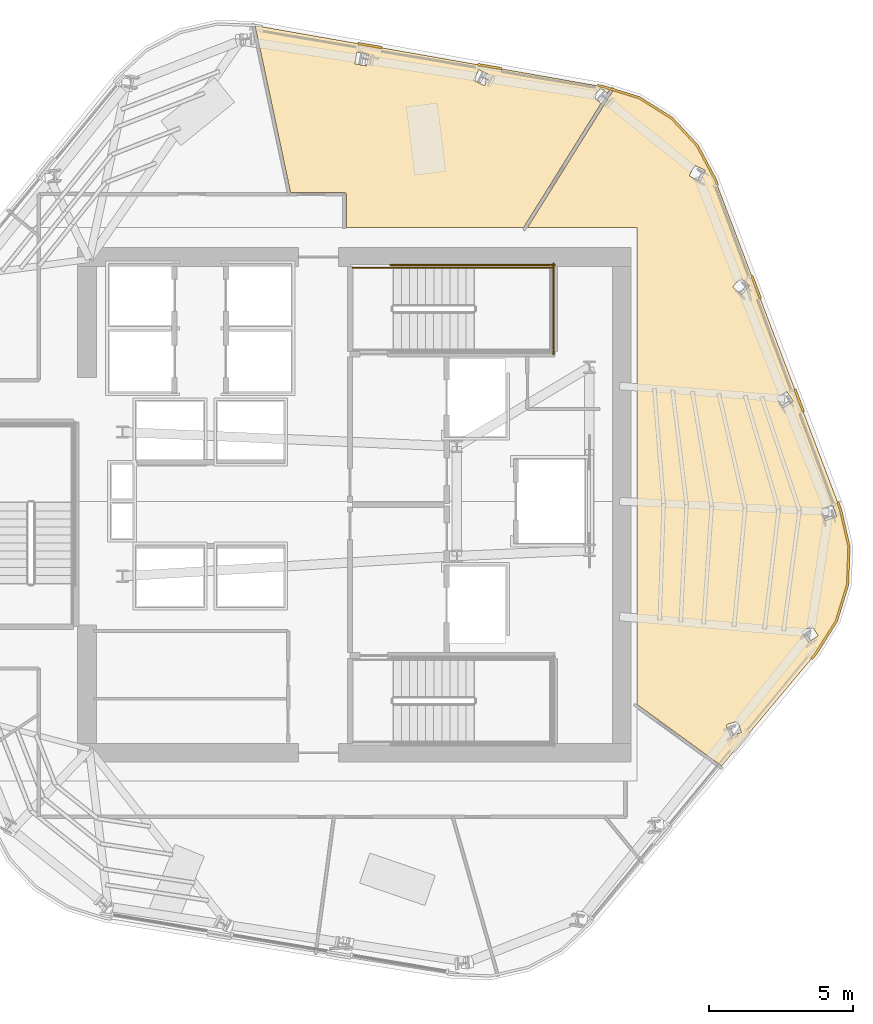
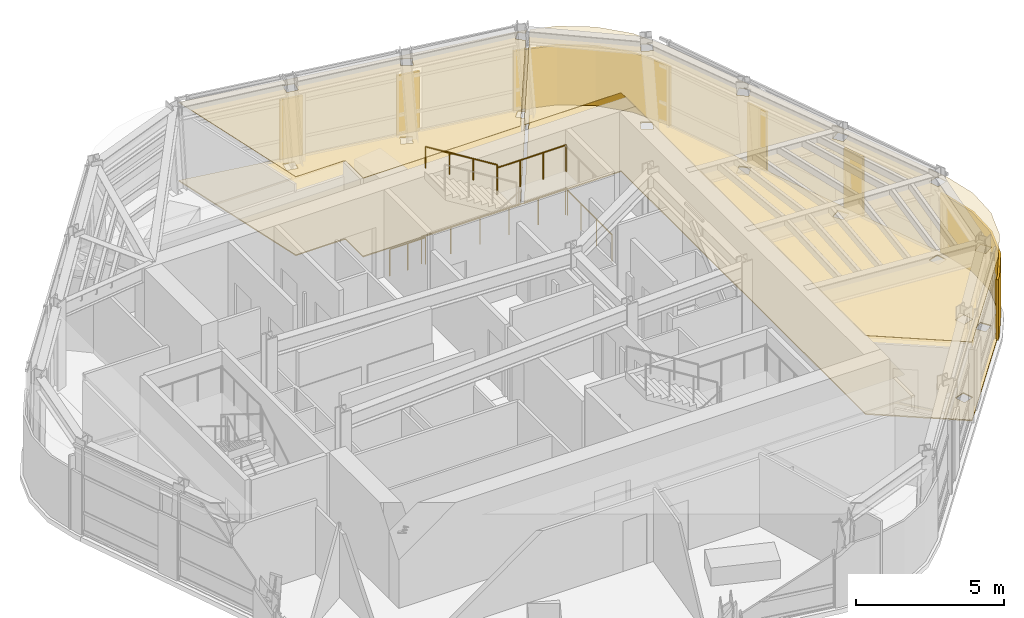
# One storey, part 11 of 12: 10 coverings, 5 railings.
"""IFC4 building model written with IfcOpenShell, lengths in metres."""

from ifc_helpers import new_model, si_unit, direction, frame, origin, origin_2d, place, context, subcontext, project, spatial, polyline, circle, outline, extrude, material, layer, layer_set, type_object, element, save


model = new_model("IFC4")

# Units and contexts
model_context = context("Model", 3, precision=1e-05, world=origin(), true_north=direction((0.0, 1.0)))
body_context = subcontext(model_context, "Body", "Model", "MODEL_VIEW")
ifc_project = project(units=[si_unit("LENGTHUNIT", "METRE"), si_unit("AREAUNIT", "SQUARE_METRE"), si_unit("VOLUMEUNIT", "CUBIC_METRE"), si_unit("PLANEANGLEUNIT", "RADIAN"), si_unit("MASSUNIT", "GRAM", prefix="KILO")], contexts=[model_context])

# Site, building, storey
site_placement = place(None, origin())
site = spatial("IfcSite", under=ifc_project, at=site_placement, CompositionType="ELEMENT")
building_placement = place(site_placement, origin())
building = spatial("IfcBuilding", under=site, at=building_placement, Name="Valkerne Bourse Tower", CompositionType="ELEMENT")
storey_placement = place(building_placement, frame((0.0, 0.0, 239.800048828125)))
storey = spatial("IfcBuildingStorey", under=building, at=storey_placement, Name="L61", CompositionType="ELEMENT", Elevation=239.800048828125)

# Coverings
ifc_material_1 = material(Name="Mineral Fiber Acoustic Ceiling Tile", Category="acoustic")
ifc_layer_1 = layer(ifc_material_1, 0.02490234375)
ifc_layer_set_1 = layer_set([ifc_layer_1], Name="Mineral Fiber Acoustic Ceiling Tile")
covering_type_1 = type_object("IfcCoveringType", Name="COV-CEIL-ACT", PredefinedType="CEILING", material=ifc_layer_set_1)
covering_1_placement = place(storey_placement, frame((0.0, 0.0, 3.25)))
element("IfcCovering", 1, at=covering_1_placement, inside=storey, type_object=covering_type_1, Name="L61 Suspended Ceiling 10", PredefinedType="CEILING", context=body_context, shape_type="SweptSolid", body=[
    extrude(outline(polyline([(55.668212890625, 41.303466796875), (55.572509765625, 41.150146484375), (55.356689453125, 41.33984375), (55.354736328125, 41.341064453125), (55.0830078125, 41.03173828125), (55.35107421875, 40.7958984375), (52.666748046875, 36.5), (46.51904296875, 36.5), (46.51904296875, 37.640380859375), (46.51220703125, 37.670166015625), (46.49072265625, 37.69580078125), (46.45068359375, 37.708984375), (44.583984375, 37.708984375), (43.352783203125, 43.501708984375), (55.406982421875, 41.3837890625), (55.668212890625, 41.303466796875)]), holes=[polyline([(51.121337890625, 41.971923828125), (51.119384765625, 41.97265625), (50.934814453125, 41.6044921875), (51.304443359375, 41.4189453125), (51.306640625, 41.418212890625), (51.4912109375, 41.78662109375), (51.121337890625, 41.971923828125)]), polyline([(47.293701171875, 42.5048828125), (46.8876953125, 42.5830078125), (46.885498046875, 42.5830078125), (46.80810546875, 42.178466796875), (47.214111328125, 42.100341796875), (47.21630859375, 42.100341796875), (47.293701171875, 42.5048828125)])]), origin(), (0.0, 0.0, 1.0), 0.02490234375),
])
covering_2_placement = place(storey_placement, frame((0.0, 0.0, 3.25)))
element("IfcCovering", 2, at=covering_2_placement, inside=storey, type_object=covering_type_1, Name="L61 Suspended Ceiling 12", PredefinedType="CEILING", context=body_context, shape_type="SweptSolid", body=[
    extrude(outline(polyline([(63.5126953125, 22.846435546875), (62.806640625, 21.720947265625), (59.535888671875, 17.81982421875), (56.60009765625, 19.952880859375), (56.60009765625, 36.5), (52.805908203125, 36.5), (55.640380859375, 41.036376953125), (55.667236328125, 41.06689453125), (55.662109375, 41.071044921875), (55.784912109375, 41.267578125), (56.677978515625, 40.992919921875), (57.795654296875, 40.29150390625), (58.694091796875, 39.324951171875), (59.316162109375, 38.14990234375), (63.65234375, 26.721435546875), (63.94921875, 25.42626953125), (63.900634765625, 24.107666015625), (63.5126953125, 22.846435546875)]), holes=[polyline([(60.223876953125, 18.984619140625), (60.087890625, 19.37548828125), (59.698974609375, 19.2412109375), (59.69775390625, 19.2392578125), (59.833984375, 18.84814453125), (60.22265625, 18.982666015625), (60.223876953125, 18.984619140625)]), polyline([(62.88818359375, 22.3369140625), (62.6572265625, 22.680419921875), (62.3154296875, 22.451904296875), (62.314697265625, 22.44970703125), (62.545654296875, 22.10595703125), (62.8876953125, 22.334716796875), (62.88818359375, 22.3369140625)]), polyline([(63.5166015625, 26.46875), (63.516845703125, 26.47119140625), (63.385009765625, 26.8603515625), (62.9921875, 26.72802734375), (62.9921875, 26.7255859375), (63.1240234375, 26.33642578125), (63.5166015625, 26.46875)]), polyline([(62.01904296875, 30.46923828125), (61.792724609375, 30.8125), (61.446533203125, 30.584716796875), (61.447021484375, 30.582763671875), (61.67333984375, 30.239501953125), (62.01953125, 30.467041015625), (62.01904296875, 30.46923828125)]), polyline([(60.50244140625, 34.476806640625), (60.191162109375, 34.74560546875), (59.919921875, 34.432373046875), (59.9208984375, 34.430419921875), (60.232177734375, 34.16162109375), (60.50341796875, 34.474853515625), (60.50244140625, 34.476806640625)]), polyline([(58.965576171875, 38.477294921875), (58.596435546875, 38.658447265625), (58.41357421875, 38.28662109375), (58.4150390625, 38.284912109375), (58.7841796875, 38.10400390625), (58.96728515625, 38.4755859375), (58.965576171875, 38.477294921875)])]), origin(), (0.0, 0.0, 1.0), 0.02490234375),
])
ifc_material_2 = material(Name="Bronze Anodised Aluminium AA 6063-T6", Category="aluminium")
ifc_layer_2 = layer(ifc_material_2, 0.06005859375)
ifc_layer_set_2 = layer_set([ifc_layer_2], Name="Bronze Anodised Aluminium AA 6063-T6")
covering_type_2 = type_object("IfcCoveringType", Name="COV-CRN-ALUM", PredefinedType="CLADDING", material=ifc_layer_set_2)
covering_3_placement = place(storey_placement, origin())
element("IfcCovering", 3, at=covering_3_placement, inside=storey, type_object=covering_type_2, Name="L61 Wind-Shaped Corner Aluminium Cladding 01", PredefinedType="CLADDING", context=body_context, shape_type="SweptSolid", body=[
    extrude(outline(polyline([(63.993408203125, 25.430419921875), (63.944580078125, 24.10009765625), (63.552978515625, 22.827880859375), (62.84228515625, 21.695068359375), (62.68798828125, 21.510986328125), (62.62646484375, 21.56201171875), (62.777587890625, 21.7421875), (63.479736328125, 22.861572265625), (63.864990234375, 24.11376953125), (63.9130859375, 25.4228515625), (63.617919921875, 26.7109375), (63.534423828125, 26.930908203125), (63.609619140625, 26.958740234375), (63.694580078125, 26.734130859375), (63.993408203125, 25.430419921875)])), origin(), (0.0, 0.0, 1.0), 2.5),
])
covering_4_placement = place(storey_placement, origin())
element("IfcCovering", 4, at=covering_4_placement, inside=storey, type_object=covering_type_2, Name="L61 Wind-Shaped Corner Aluminium Cladding 14", PredefinedType="CLADDING", context=body_context, shape_type="SweptSolid", body=[
    extrude(outline(polyline([(47.758056640625, 42.774169921875), (47.74462890625, 42.6953125), (46.91748046875, 42.8408203125), (46.930908203125, 42.919677734375), (47.758056640625, 42.774169921875)])), origin(), (0.0, 0.0, 1.0), 2.5),
])
covering_5_placement = place(storey_placement, origin())
element("IfcCovering", 5, at=covering_5_placement, inside=storey, type_object=covering_type_2, Name="L61 Wind-Shaped Corner Aluminium Cladding 15", PredefinedType="CLADDING", context=body_context, shape_type="SweptSolid", body=[
    extrude(outline(polyline([(51.906494140625, 42.044189453125), (51.89306640625, 41.96533203125), (51.06591796875, 42.111083984375), (51.0791015625, 42.189697265625), (51.906494140625, 42.044189453125)])), origin(), (0.0, 0.0, 1.0), 2.5),
])
covering_6_placement = place(storey_placement, origin())
element("IfcCovering", 6, at=covering_6_placement, inside=storey, type_object=covering_type_2, Name="L61 Wind-Shaped Corner Aluminium Cladding 16", PredefinedType="CLADDING", context=body_context, shape_type="SweptSolid", body=[
    extrude(outline(polyline([(55.41748046875, 41.426513671875), (56.6962890625, 41.033203125), (57.823974609375, 40.32568359375), (58.730224609375, 39.3505859375), (59.356201171875, 38.168212890625), (59.4248046875, 37.98779296875), (59.349609375, 37.9599609375), (59.283203125, 38.135009765625), (58.664306640625, 39.303955078125), (57.772705078125, 40.263671875), (56.662841796875, 40.959716796875), (55.398681640625, 41.3486328125), (55.214111328125, 41.381103515625), (55.2275390625, 41.4599609375), (55.41748046875, 41.426513671875)])), origin(), (0.0, 0.0, 1.0), 2.5),
])
covering_7_placement = place(storey_placement, origin())
element("IfcCovering", 7, at=covering_7_placement, inside=storey, type_object=covering_type_2, Name="L61 Wind-Shaped Corner Aluminium Cladding 17", PredefinedType="CLADDING", context=body_context, shape_type="SweptSolid", body=[
    extrude(outline(polyline([(60.9189453125, 34.0498046875), (60.843994140625, 34.021728515625), (60.5458984375, 34.80712890625), (60.62109375, 34.8349609375), (60.9189453125, 34.0498046875)])), origin(), (0.0, 0.0, 1.0), 2.5),
])
covering_8_placement = place(storey_placement, origin())
element("IfcCovering", 8, at=covering_8_placement, inside=storey, type_object=covering_type_2, Name="L61 Wind-Shaped Corner Aluminium Cladding 18", PredefinedType="CLADDING", context=body_context, shape_type="SweptSolid", body=[
    extrude(outline(polyline([(62.4130859375, 30.111572265625), (62.338134765625, 30.08349609375), (62.040283203125, 30.868896484375), (62.115234375, 30.896728515625), (62.4130859375, 30.111572265625)])), origin(), (0.0, 0.0, 1.0), 2.5),
])
ifc_material_3 = material(Name="Galvanised Painted Steel", Category="steel")
ifc_layer_3 = layer(ifc_material_3, 0.044921875)
ifc_layer_set_3 = layer_set([ifc_layer_3], Name="Galvanised Painted Steel")
covering_type_3 = type_object("IfcCoveringType", Name="COV-FLR-RAF", PredefinedType="FLOORING", material=ifc_layer_set_3)
covering_9_placement = place(storey_placement, origin())
element("IfcCovering", 9, at=covering_9_placement, inside=storey, type_object=covering_type_3, Name="L61 Floor Finish 10", PredefinedType="FLOORING", context=body_context, shape_type="SweptSolid", body=[
    extrude(outline(polyline([(55.668212890625, 41.303466796875), (55.572509765625, 41.150146484375), (55.356689453125, 41.33984375), (55.354736328125, 41.341064453125), (55.0830078125, 41.03173828125), (55.35107421875, 40.7958984375), (52.666748046875, 36.5), (46.51904296875, 36.5), (46.51904296875, 37.640380859375), (46.51220703125, 37.670166015625), (46.49072265625, 37.69580078125), (46.45068359375, 37.708984375), (44.583984375, 37.708984375), (43.352783203125, 43.501708984375), (55.406982421875, 41.3837890625), (55.668212890625, 41.303466796875)]), holes=[polyline([(51.121337890625, 41.971923828125), (51.119384765625, 41.97265625), (50.934814453125, 41.6044921875), (51.304443359375, 41.4189453125), (51.306640625, 41.418212890625), (51.4912109375, 41.78662109375), (51.121337890625, 41.971923828125)]), polyline([(47.293701171875, 42.5048828125), (46.8876953125, 42.5830078125), (46.885498046875, 42.5830078125), (46.80810546875, 42.178466796875), (47.214111328125, 42.100341796875), (47.21630859375, 42.100341796875), (47.293701171875, 42.5048828125)])]), origin(), (0.0, 0.0, 1.0), 0.044921875),
])
covering_10_placement = place(storey_placement, origin())
element("IfcCovering", 10, at=covering_10_placement, inside=storey, type_object=covering_type_3, Name="L61 Floor Finish 12", PredefinedType="FLOORING", context=body_context, shape_type="SweptSolid", body=[
    extrude(outline(polyline([(63.5126953125, 22.846435546875), (62.806640625, 21.720947265625), (59.535888671875, 17.81982421875), (56.60009765625, 19.952880859375), (56.60009765625, 36.5), (52.805908203125, 36.5), (55.640380859375, 41.036376953125), (55.667236328125, 41.06689453125), (55.662109375, 41.071044921875), (55.784912109375, 41.267578125), (56.677978515625, 40.992919921875), (57.795654296875, 40.29150390625), (58.694091796875, 39.324951171875), (59.316162109375, 38.14990234375), (63.65234375, 26.721435546875), (63.94921875, 25.42626953125), (63.900634765625, 24.107666015625), (63.5126953125, 22.846435546875)]), holes=[polyline([(60.223876953125, 18.984619140625), (60.087890625, 19.37548828125), (59.698974609375, 19.2412109375), (59.69775390625, 19.2392578125), (59.833984375, 18.84814453125), (60.22265625, 18.982666015625), (60.223876953125, 18.984619140625)]), polyline([(62.88818359375, 22.3369140625), (62.6572265625, 22.680419921875), (62.3154296875, 22.451904296875), (62.314697265625, 22.44970703125), (62.545654296875, 22.10595703125), (62.8876953125, 22.334716796875), (62.88818359375, 22.3369140625)]), polyline([(63.5166015625, 26.46875), (63.516845703125, 26.47119140625), (63.385009765625, 26.8603515625), (62.9921875, 26.72802734375), (62.9921875, 26.7255859375), (63.1240234375, 26.33642578125), (63.5166015625, 26.46875)]), polyline([(62.01904296875, 30.46923828125), (61.792724609375, 30.8125), (61.446533203125, 30.584716796875), (61.447021484375, 30.582763671875), (61.67333984375, 30.239501953125), (62.01953125, 30.467041015625), (62.01904296875, 30.46923828125)]), polyline([(60.50244140625, 34.476806640625), (60.191162109375, 34.74560546875), (59.919921875, 34.432373046875), (59.9208984375, 34.430419921875), (60.232177734375, 34.16162109375), (60.50341796875, 34.474853515625), (60.50244140625, 34.476806640625)]), polyline([(58.965576171875, 38.477294921875), (58.596435546875, 38.658447265625), (58.41357421875, 38.28662109375), (58.4150390625, 38.284912109375), (58.7841796875, 38.10400390625), (58.96728515625, 38.4755859375), (58.965576171875, 38.477294921875)])]), origin(), (0.0, 0.0, 1.0), 0.044921875),
])

# Railings
railing_type_1 = type_object("IfcRailingType", Name="RLG-ST-GUARD-1120", PredefinedType="GUARDRAIL", material=ifc_material_3)
railing_1_placement = place(storey_placement, frame((50.949951171875, 35.10009765625, 1.89990234375)))
element("IfcRailing", 11, at=railing_1_placement, inside=storey, type_object=railing_type_1, Name="L61 ST-2 stair guard 4", PredefinedType="GUARDRAIL", context=body_context, shape_type="SweptSolid", body=[
    extrude(circle(Radius=0.02392578125, at=origin_2d()), frame((0.0, 0.0, 1.09619140625), z_axis=(1.0, 0.0, 0.0), x_axis=(0.0, 1.0, 0.0)), (0.0, 0.0, 1.0), 2.699951171875),
    extrude(circle(Radius=0.02099609375, at=origin_2d()), origin(), (0.0, 0.0, 1.0), 1.072021484375),
    extrude(circle(Radius=0.02099609375, at=origin_2d()), frame((0.89990234375, 0.0, 0.0)), (0.0, 0.0, 1.0), 1.072021484375),
    extrude(circle(Radius=0.02099609375, at=origin_2d()), frame((1.800048828125, 0.0, 0.0)), (0.0, 0.0, 1.0), 1.072021484375),
    extrude(circle(Radius=0.02099609375, at=origin_2d()), frame((2.699951171875, 0.0, 0.0)), (0.0, 0.0, 1.0), 1.072021484375),
])
railing_2_placement = place(storey_placement, frame((46.75, 35.10009765625, 0.0)))
element("IfcRailing", 12, at=railing_2_placement, inside=storey, type_object=railing_type_1, Name="L61 ST-2 stair guard 9", PredefinedType="GUARDRAIL", context=body_context, shape_type="SweptSolid", body=[
    extrude(circle(Radius=0.02392578125, at=origin_2d()), frame((0.0, 0.0, 1.09619140625), z_axis=(1.0, 0.0, 0.0), x_axis=(0.0, 1.0, 0.0)), (0.0, 0.0, 1.0), 1.39990234375),
    extrude(circle(Radius=0.02099609375, at=origin_2d()), origin(), (0.0, 0.0, 1.0), 1.072021484375),
    extrude(circle(Radius=0.02099609375, at=origin_2d()), frame((0.699951171875, 0.0, 0.0)), (0.0, 0.0, 1.0), 1.072021484375),
    extrude(circle(Radius=0.02099609375, at=origin_2d()), frame((1.39990234375, 0.0, 0.0)), (0.0, 0.0, 1.0), 1.072021484375),
])
railing_3_placement = place(storey_placement, frame((48.050048828125, 35.199951171875, 0.0)))
element("IfcRailing", 13, at=railing_3_placement, inside=storey, type_object=railing_type_1, Name="L61 ST-2 stair guard 11", PredefinedType="GUARDRAIL", context=body_context, shape_type="SweptSolid", body=[
    extrude(circle(Radius=0.02392578125, at=origin_2d()), frame((0.0, 0.0, 1.09619140625), z_axis=(1.0, 0.0, 0.0), x_axis=(0.0, 1.0, 0.0)), (0.0, 0.0, 1.0), 5.699951171875),
    extrude(circle(Radius=0.02099609375, at=origin_2d()), origin(), (0.0, 0.0, 1.0), 1.072021484375),
    extrude(circle(Radius=0.02099609375, at=origin_2d()), frame((1.139892578125, 0.0, 0.0)), (0.0, 0.0, 1.0), 1.072021484375),
    extrude(circle(Radius=0.02099609375, at=origin_2d()), frame((2.280029296875, 0.0, 0.0)), (0.0, 0.0, 1.0), 1.072021484375),
    extrude(circle(Radius=0.02099609375, at=origin_2d()), frame((3.419921875, 0.0, 0.0)), (0.0, 0.0, 1.0), 1.072021484375),
    extrude(circle(Radius=0.02099609375, at=origin_2d()), frame((4.56005859375, 0.0, 0.0)), (0.0, 0.0, 1.0), 1.072021484375),
    extrude(circle(Radius=0.02099609375, at=origin_2d()), frame((5.699951171875, 0.0, 0.0)), (0.0, 0.0, 1.0), 1.072021484375),
])
railing_4_placement = place(storey_placement, frame((53.699951171875, 32.10009765625, 0.0)))
element("IfcRailing", 14, at=railing_4_placement, inside=storey, type_object=railing_type_1, Name="L61 ST-2 stair guard 12", PredefinedType="GUARDRAIL", context=body_context, shape_type="SweptSolid", body=[
    extrude(circle(Radius=0.02392578125, at=origin_2d()), frame((0.0, 0.0, 1.09619140625), z_axis=(0.0, 1.0, 0.0), x_axis=(-1.0, 0.0, 0.0)), (0.0, 0.0, 1.0), 3.14990234375),
    extrude(circle(Radius=0.02099609375, at=origin_2d()), origin(), (0.0, 0.0, 1.0), 1.072021484375),
    extrude(circle(Radius=0.02099609375, at=origin_2d()), frame((0.0, 1.050048828125, 0.0)), (0.0, 0.0, 1.0), 1.072021484375),
    extrude(circle(Radius=0.02099609375, at=origin_2d()), frame((0.0, 2.099853515625, 0.0)), (0.0, 0.0, 1.0), 1.072021484375),
    extrude(circle(Radius=0.02099609375, at=origin_2d()), frame((0.0, 3.14990234375, 0.0)), (0.0, 0.0, 1.0), 1.072021484375),
])
ifc_material_4 = material(Name="Stainless Steel AISI 316", Category="steel")
railing_type_2 = type_object("IfcRailingType", Name="RLG-ST-HANDRAIL-900", PredefinedType="HANDRAIL", material=ifc_material_4)
railing_5_placement = place(storey_placement, frame((50.949951171875, 35.10009765625, 2.245361328125)))
element("IfcRailing", 15, at=railing_5_placement, inside=storey, type_object=railing_type_2, Name="L61 ST-2 stair handrail 2", PredefinedType="HANDRAIL", context=body_context, shape_type="SweptSolid", body=[
    extrude(circle(Radius=0.02392578125, at=origin_2d()), frame((0.0, 0.0, 0.8759765625), z_axis=(-0.851089632645, 0.0, 0.525020415988), x_axis=(0.0, -1.0, 0.0)), (0.0, 0.0, 1.0), 3.2900390625),
    extrude(circle(Radius=0.02099609375, at=origin_2d()), origin(), (0.0, 0.0, 1.0), 0.851806640625),
    extrude(circle(Radius=0.02099609375, at=origin_2d()), frame((-0.933349609375, 0.0, 0.57568359375)), (0.0, 0.0, 1.0), 0.851806640625),
    extrude(circle(Radius=0.02099609375, at=origin_2d()), frame((-1.86669921875, 0.0, 1.151611328125)), (0.0, 0.0, 1.0), 0.851806640625),
    extrude(circle(Radius=0.02099609375, at=origin_2d()), frame((-2.800048828125, 0.0, 1.727294921875)), (0.0, 0.0, 1.0), 0.851806640625),
])

save(model, "model.ifc")
